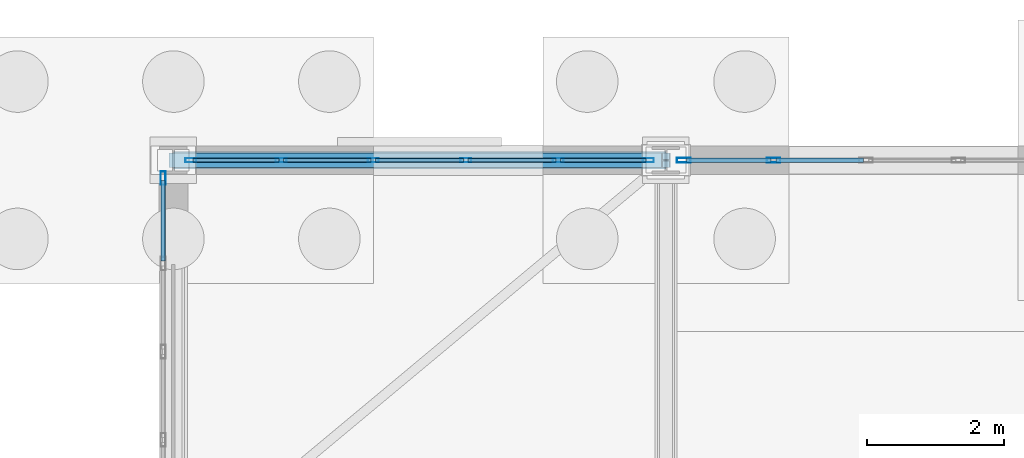
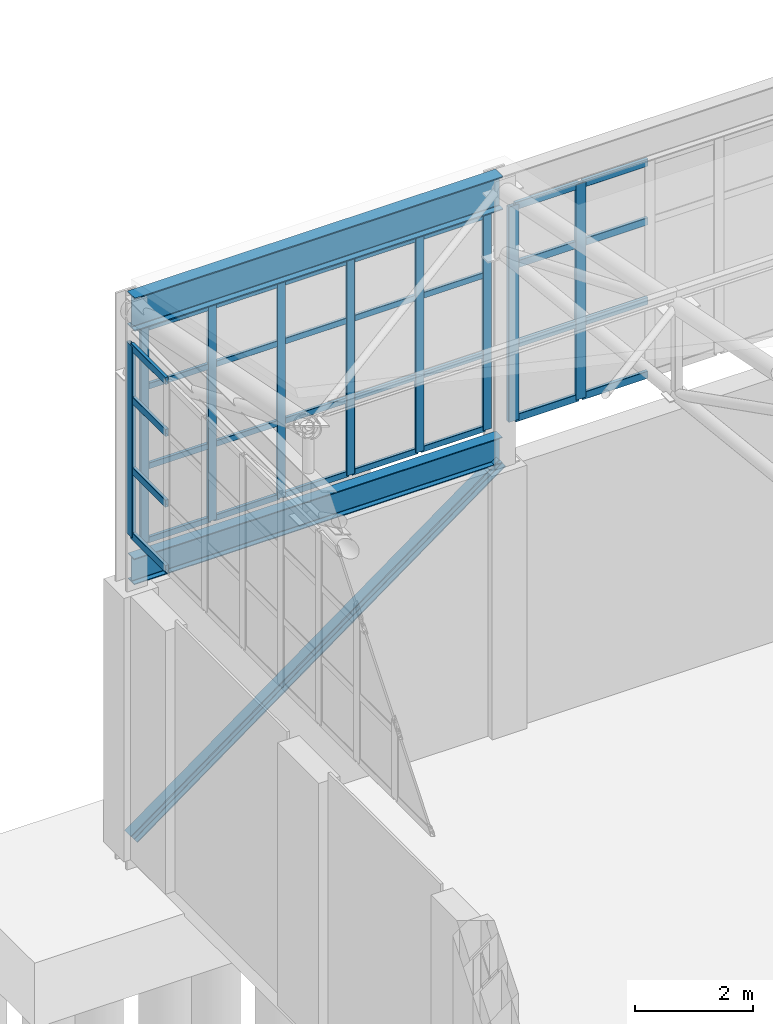
# One storey, part 202 of 293: 42 members, 2 beams, 3 elements without a shape of their own.
"""IFC4 building model written with IfcOpenShell, lengths in metres."""

from ifc_helpers import new_model, si_unit, direction, frame, origin, origin_2d, place, context, subcontext, project, spatial, hollow_rectangle, i_section, extrude, material, layer, layer_set, material_profile, profile_set, type_object, element, aggregate, save


model = new_model("IFC4")

# Units and contexts
model_context = context("Model", 3, precision=1e-05, world=origin(), true_north=direction((0.0, 1.0)))
body_context = subcontext(model_context, "Body", "Model", "MODEL_VIEW")
ifc_project = project(units=[si_unit("LENGTHUNIT", "METRE"), si_unit("AREAUNIT", "SQUARE_METRE"), si_unit("VOLUMEUNIT", "CUBIC_METRE"), si_unit("PLANEANGLEUNIT", "RADIAN"), si_unit("MASSUNIT", "GRAM", prefix="KILO")], contexts=[model_context])

# Site, building, storey
site_placement = place(None, origin())
site = spatial("IfcSite", under=ifc_project, at=site_placement, CompositionType="ELEMENT")
building_placement = place(site_placement, origin())
building = spatial("IfcBuilding", under=site, at=building_placement, Name="Kemerveld Promenade Tramway Depot", CompositionType="ELEMENT")
storey_placement = place(building_placement, origin())
storey = spatial("IfcBuildingStorey", under=building, at=storey_placement, Name="L00", CompositionType="ELEMENT", Elevation=0.0)

# Beams
ifc_material_1 = material(Name="Steel S355", Category="steel")
ifc_material_profile_1 = material_profile(ifc_material_1, i_section(OverallWidth=0.25439453125, OverallDepth=0.6875, WebThickness=0.01318359375, FlangeThickness=0.02099609375, FilletRadius=0.01513671875, at=origin_2d()), Name="686x254x152 UB")
ifc_profile_set_1 = profile_set([ifc_material_profile_1], Name="Steel S355")
beam_type_1 = type_object("IfcBeamType", Name="BM-G03", PredefinedType="BEAM", material=ifc_profile_set_1)
beam_1_placement = place(storey_placement, frame((36.0, 144.0, 11.056396484375), z_axis=(1.0, 0.0, 0.0), x_axis=(0.0, 1.0, 0.0)))
element("IfcBeam", 1, at=beam_1_placement, inside=storey, type_object=beam_type_1, Name="BM-SHED-EAVE-U-06", PredefinedType="BEAM", context=body_context, shape_type="SweptSolid", body=[
    extrude(i_section(OverallWidth=0.25439453125, OverallDepth=0.6875, WebThickness=0.01318359375, FlangeThickness=0.02099609375, FilletRadius=0.01513671875, at=origin_2d()), origin(), (0.0, 0.0, 1.0), 7.199951171875),
])
ifc_material_profile_2 = material_profile(ifc_material_1, i_section(OverallWidth=0.2099609375, OverallDepth=0.53662109375, WebThickness=0.0107421875, FlangeThickness=0.017333984375, FilletRadius=0.0126953125, at=origin_2d()), Name="533x210x101 UB")
ifc_profile_set_2 = profile_set([ifc_material_profile_2], Name="Steel S355")
beam_type_2 = type_object("IfcBeamType", Name="BM-G05", PredefinedType="BEAM", material=ifc_profile_set_2)
beam_2_placement = place(storey_placement, frame((36.0, 144.0, 5.731689453125), z_axis=(1.0, 0.0, 0.0), x_axis=(0.0, 1.0, 0.0)))
element("IfcBeam", 2, at=beam_2_placement, inside=storey, type_object=beam_type_2, Name="BM-SHED-MID-U-06", PredefinedType="BEAM", context=body_context, shape_type="SweptSolid", body=[
    extrude(i_section(OverallWidth=0.2099609375, OverallDepth=0.53662109375, WebThickness=0.0107421875, FlangeThickness=0.017333984375, FilletRadius=0.0126953125, at=origin_2d()), origin(), (0.0, 0.0, 1.0), 7.199951171875),
])

# Curtain wall, members
ifc_material_2 = material(Name="Bronze anodised aluminium and solar glass", Category="aluminium")
ifc_layer_1 = layer(ifc_material_2, 0.159912109375)
ifc_layer_set_1 = layer_set([ifc_layer_1], Name="CW-SYS-01")
curtain_wall_type_1 = type_object("IfcCurtainWallType", Name="CW-SYS-01", PredefinedType="USERDEFINED", material=ifc_layer_set_1)
curtain_wall_1_placement = place(storey_placement, origin())
curtain_wall_1 = element("IfcCurtainWall", 3, at=curtain_wall_1_placement, inside=storey, type_object=curtain_wall_type_1, Name="CW-V1-N-01", ObjectType="GLAZED_CURTAIN_WALL", PredefinedType="USERDEFINED")
ifc_material_3 = material(Name="Bronze anodised aluminium", Category="aluminium")
ifc_material_profile_3 = material_profile(ifc_material_3, hollow_rectangle(XDim=0.06494140625, YDim=0.159912109375, WallThickness=0.00390625, InnerFilletRadius=0.001953125, OuterFilletRadius=0.00390625, at=origin_2d()), Name="CW-MUL-160x65")
ifc_profile_set_3 = profile_set([ifc_material_profile_3], Name="Bronze anodised aluminium")
member_type_1 = type_object("IfcMemberType", Name="CW-MUL-A", PredefinedType="MULLION", material=ifc_profile_set_3)
member_1_placement = place(storey_placement, frame((36.255615234375, 144.0, 6.199951171875), z_axis=(0.0, 0.0, 1.0), x_axis=(0.0, 1.0, 0.0)))
member_1 = element("IfcMember", 4, at=member_1_placement, type_object=member_type_1, Name="CW01 mullion 1", PredefinedType="MULLION", context=body_context, shape_type="SweptSolid", body=[
    extrude(hollow_rectangle(XDim=0.06494140625, YDim=0.159912109375, WallThickness=0.00390625, InnerFilletRadius=0.001953125, OuterFilletRadius=0.00390625, at=origin_2d()), origin(), (0.0, 0.0, 1.0), 4.449951171875),
])
member_2_placement = place(storey_placement, frame((37.573974609375, 144.0, 6.199951171875), z_axis=(0.0, 0.0, 1.0), x_axis=(0.0, 1.0, 0.0)))
member_2 = element("IfcMember", 5, at=member_2_placement, type_object=member_type_1, Name="CW01 mullion 2", PredefinedType="MULLION", context=body_context, shape_type="SweptSolid", body=[
    extrude(hollow_rectangle(XDim=0.06494140625, YDim=0.159912109375, WallThickness=0.00390625, InnerFilletRadius=0.001953125, OuterFilletRadius=0.00390625, at=origin_2d()), origin(), (0.0, 0.0, 1.0), 4.449951171875),
])
member_3_placement = place(storey_placement, frame((38.924560546875, 144.0, 6.199951171875), z_axis=(0.0, 0.0, 1.0), x_axis=(0.0, 1.0, 0.0)))
member_3 = element("IfcMember", 6, at=member_3_placement, type_object=member_type_1, Name="CW01 mullion 3", PredefinedType="MULLION", context=body_context, shape_type="SweptSolid", body=[
    extrude(hollow_rectangle(XDim=0.06494140625, YDim=0.159912109375, WallThickness=0.00390625, InnerFilletRadius=0.001953125, OuterFilletRadius=0.00390625, at=origin_2d()), origin(), (0.0, 0.0, 1.0), 4.449951171875),
])
member_4_placement = place(storey_placement, frame((40.275390625, 144.0, 6.199951171875), z_axis=(0.0, 0.0, 1.0), x_axis=(0.0, 1.0, 0.0)))
member_4 = element("IfcMember", 7, at=member_4_placement, type_object=member_type_1, Name="CW01 mullion 4", PredefinedType="MULLION", context=body_context, shape_type="SweptSolid", body=[
    extrude(hollow_rectangle(XDim=0.06494140625, YDim=0.159912109375, WallThickness=0.00390625, InnerFilletRadius=0.001953125, OuterFilletRadius=0.00390625, at=origin_2d()), origin(), (0.0, 0.0, 1.0), 4.449951171875),
])
member_5_placement = place(storey_placement, frame((41.6259765625, 144.0, 6.199951171875), z_axis=(0.0, 0.0, 1.0), x_axis=(0.0, 1.0, 0.0)))
member_5 = element("IfcMember", 8, at=member_5_placement, type_object=member_type_1, Name="CW01 mullion 5", PredefinedType="MULLION", context=body_context, shape_type="SweptSolid", body=[
    extrude(hollow_rectangle(XDim=0.06494140625, YDim=0.159912109375, WallThickness=0.00390625, InnerFilletRadius=0.001953125, OuterFilletRadius=0.00390625, at=origin_2d()), origin(), (0.0, 0.0, 1.0), 4.449951171875),
])
member_6_placement = place(storey_placement, frame((42.9443359375, 144.0, 6.199951171875), z_axis=(0.0, 0.0, 1.0), x_axis=(0.0, 1.0, 0.0)))
member_6 = element("IfcMember", 9, at=member_6_placement, type_object=member_type_1, Name="CW01 mullion 6", PredefinedType="MULLION", context=body_context, shape_type="SweptSolid", body=[
    extrude(hollow_rectangle(XDim=0.06494140625, YDim=0.159912109375, WallThickness=0.00390625, InnerFilletRadius=0.001953125, OuterFilletRadius=0.00390625, at=origin_2d()), origin(), (0.0, 0.0, 1.0), 4.449951171875),
])

ifc_layer_2 = layer(ifc_material_2, 0.199951171875)
ifc_layer_set_2 = layer_set([ifc_layer_2], Name="CW-SYS-02")
curtain_wall_type_2 = type_object("IfcCurtainWallType", Name="CW-SYS-02", PredefinedType="USERDEFINED", material=ifc_layer_set_2)
curtain_wall_2_placement = place(storey_placement, origin())
curtain_wall_2 = element("IfcCurtainWall", 10, at=curtain_wall_2_placement, inside=storey, type_object=curtain_wall_type_2, Name="CW-V1-N-02", ObjectType="GLAZED_CURTAIN_WALL", PredefinedType="USERDEFINED")
ifc_material_profile_4 = material_profile(ifc_material_3, hollow_rectangle(XDim=0.074951171875, YDim=0.199951171875, WallThickness=0.0048828125, InnerFilletRadius=0.001953125, OuterFilletRadius=0.0048828125, at=origin_2d()), Name="CW-MUL-200x75")
ifc_profile_set_4 = profile_set([ifc_material_profile_4], Name="Bronze anodised aluminium")
member_type_2 = type_object("IfcMemberType", Name="CW-MUL-B", PredefinedType="MULLION", material=ifc_profile_set_4)
member_7_placement = place(storey_placement, frame((43.460693359375, 144.0, 6.199951171875), z_axis=(0.0, 0.0, 1.0), x_axis=(0.0, 1.0, 0.0)))
member_7 = element("IfcMember", 11, at=member_7_placement, type_object=member_type_2, Name="CW02 mullion 1", PredefinedType="MULLION", context=body_context, shape_type="SweptSolid", body=[
    extrude(hollow_rectangle(XDim=0.074951171875, YDim=0.199951171875, WallThickness=0.0048828125, InnerFilletRadius=0.001953125, OuterFilletRadius=0.0048828125, at=origin_2d()), origin(), (0.0, 0.0, 1.0), 4.449951171875),
])
member_8_placement = place(storey_placement, frame((44.77392578125, 144.0, 6.199951171875), z_axis=(0.0, 0.0, 1.0), x_axis=(0.0, 1.0, 0.0)))
member_8 = element("IfcMember", 12, at=member_8_placement, type_object=member_type_2, Name="CW02 mullion 2", PredefinedType="MULLION", context=body_context, shape_type="SweptSolid", body=[
    extrude(hollow_rectangle(XDim=0.074951171875, YDim=0.199951171875, WallThickness=0.0048828125, InnerFilletRadius=0.001953125, OuterFilletRadius=0.0048828125, at=origin_2d()), origin(), (0.0, 0.0, 1.0), 4.449951171875),
])

# Curtain wall, member
ifc_layer_3 = layer(ifc_material_2, 0.199951171875)
ifc_layer_set_3 = layer_set([ifc_layer_3], Name="CW-SYS-12")
curtain_wall_type_3 = type_object("IfcCurtainWallType", Name="CW-SYS-12", PredefinedType="USERDEFINED", material=ifc_layer_set_3)
curtain_wall_3_placement = place(storey_placement, origin())
curtain_wall_3 = element("IfcCurtainWall", 13, at=curtain_wall_3_placement, inside=storey, type_object=curtain_wall_type_3, Name="CW-V1-W-05", ObjectType="GLAZED_CURTAIN_WALL", PredefinedType="USERDEFINED")
member_9_placement = place(storey_placement, frame((35.85009765625, 143.7392578125, 6.64990234375), z_axis=(0.0, 0.0, 1.0), x_axis=(-1.0, 0.0, 0.0)))
member_9 = element("IfcMember", 14, at=member_9_placement, type_object=member_type_2, Name="CW12 mullion 10", PredefinedType="MULLION", context=body_context, shape_type="SweptSolid", body=[
    extrude(hollow_rectangle(XDim=0.074951171875, YDim=0.199951171875, WallThickness=0.0048828125, InnerFilletRadius=0.001953125, OuterFilletRadius=0.0048828125, at=origin_2d()), origin(), (0.0, 0.0, 1.0), 3.9501953125),
])

# Member
ifc_material_profile_5 = material_profile(ifc_material_3, hollow_rectangle(XDim=0.06005859375, YDim=0.1201171875, WallThickness=0.00390625, InnerFilletRadius=0.001953125, OuterFilletRadius=0.00390625, at=origin_2d()), Name="CW-TRN-120x60")
ifc_profile_set_5 = profile_set([ifc_material_profile_5], Name="Bronze anodised aluminium")
member_type_3 = type_object("IfcMemberType", Name="CW-TRN-A", PredefinedType="USERDEFINED", material=ifc_profile_set_5)
member_10_placement = place(storey_placement, frame((36.2880859375, 144.0, 6.22998046875), z_axis=(1.0, 0.0, 0.0), x_axis=(0.0, 1.0, 0.0)))
member_10 = element("IfcMember", 15, at=member_10_placement, type_object=member_type_3, Name="CW01 transom 1.1", ObjectType="TRANSOM", PredefinedType="USERDEFINED", context=body_context, shape_type="SweptSolid", body=[
    extrude(hollow_rectangle(XDim=0.06005859375, YDim=0.1201171875, WallThickness=0.00390625, InnerFilletRadius=0.001953125, OuterFilletRadius=0.00390625, at=origin_2d()), origin(), (0.0, 0.0, 1.0), 1.25341796875),
])

member_11_placement = place(storey_placement, frame((36.2880859375, 144.0, 7.758056640625), z_axis=(1.0, 0.0, 0.0), x_axis=(0.0, 1.0, 0.0)))
member_11 = element("IfcMember", 16, at=member_11_placement, type_object=member_type_3, Name="CW01 transom 1.2", ObjectType="TRANSOM", PredefinedType="USERDEFINED", context=body_context, shape_type="SweptSolid", body=[
    extrude(hollow_rectangle(XDim=0.06005859375, YDim=0.1201171875, WallThickness=0.00390625, InnerFilletRadius=0.001953125, OuterFilletRadius=0.00390625, at=origin_2d()), origin(), (0.0, 0.0, 1.0), 1.25341796875),
])

member_12_placement = place(storey_placement, frame((36.2880859375, 144.0, 9.404052734375), z_axis=(1.0, 0.0, 0.0), x_axis=(0.0, 1.0, 0.0)))
member_12 = element("IfcMember", 17, at=member_12_placement, type_object=member_type_3, Name="CW01 transom 1.3", ObjectType="TRANSOM", PredefinedType="USERDEFINED", context=body_context, shape_type="SweptSolid", body=[
    extrude(hollow_rectangle(XDim=0.06005859375, YDim=0.1201171875, WallThickness=0.00390625, InnerFilletRadius=0.001953125, OuterFilletRadius=0.00390625, at=origin_2d()), origin(), (0.0, 0.0, 1.0), 1.25341796875),
])

member_13_placement = place(storey_placement, frame((36.2880859375, 144.0, 10.6201171875), z_axis=(1.0, 0.0, 0.0), x_axis=(0.0, 1.0, 0.0)))
member_13 = element("IfcMember", 18, at=member_13_placement, type_object=member_type_3, Name="CW01 transom 1.4", ObjectType="TRANSOM", PredefinedType="USERDEFINED", context=body_context, shape_type="SweptSolid", body=[
    extrude(hollow_rectangle(XDim=0.06005859375, YDim=0.1201171875, WallThickness=0.00390625, InnerFilletRadius=0.001953125, OuterFilletRadius=0.00390625, at=origin_2d()), origin(), (0.0, 0.0, 1.0), 1.25341796875),
])

member_14_placement = place(storey_placement, frame((37.6064453125, 144.0, 6.22998046875), z_axis=(1.0, 0.0, 0.0), x_axis=(0.0, 1.0, 0.0)))
member_14 = element("IfcMember", 19, at=member_14_placement, type_object=member_type_3, Name="CW01 transom 2.1", ObjectType="TRANSOM", PredefinedType="USERDEFINED", context=body_context, shape_type="SweptSolid", body=[
    extrude(hollow_rectangle(XDim=0.06005859375, YDim=0.1201171875, WallThickness=0.00390625, InnerFilletRadius=0.001953125, OuterFilletRadius=0.00390625, at=origin_2d()), origin(), (0.0, 0.0, 1.0), 1.28564453125),
])

member_15_placement = place(storey_placement, frame((37.6064453125, 144.0, 7.758056640625), z_axis=(1.0, 0.0, 0.0), x_axis=(0.0, 1.0, 0.0)))
member_15 = element("IfcMember", 20, at=member_15_placement, type_object=member_type_3, Name="CW01 transom 2.2", ObjectType="TRANSOM", PredefinedType="USERDEFINED", context=body_context, shape_type="SweptSolid", body=[
    extrude(hollow_rectangle(XDim=0.06005859375, YDim=0.1201171875, WallThickness=0.00390625, InnerFilletRadius=0.001953125, OuterFilletRadius=0.00390625, at=origin_2d()), origin(), (0.0, 0.0, 1.0), 1.28564453125),
])

member_16_placement = place(storey_placement, frame((37.6064453125, 144.0, 9.404052734375), z_axis=(1.0, 0.0, 0.0), x_axis=(0.0, 1.0, 0.0)))
member_16 = element("IfcMember", 21, at=member_16_placement, type_object=member_type_3, Name="CW01 transom 2.3", ObjectType="TRANSOM", PredefinedType="USERDEFINED", context=body_context, shape_type="SweptSolid", body=[
    extrude(hollow_rectangle(XDim=0.06005859375, YDim=0.1201171875, WallThickness=0.00390625, InnerFilletRadius=0.001953125, OuterFilletRadius=0.00390625, at=origin_2d()), origin(), (0.0, 0.0, 1.0), 1.28564453125),
])

member_17_placement = place(storey_placement, frame((37.6064453125, 144.0, 10.6201171875), z_axis=(1.0, 0.0, 0.0), x_axis=(0.0, 1.0, 0.0)))
member_17 = element("IfcMember", 22, at=member_17_placement, type_object=member_type_3, Name="CW01 transom 2.4", ObjectType="TRANSOM", PredefinedType="USERDEFINED", context=body_context, shape_type="SweptSolid", body=[
    extrude(hollow_rectangle(XDim=0.06005859375, YDim=0.1201171875, WallThickness=0.00390625, InnerFilletRadius=0.001953125, OuterFilletRadius=0.00390625, at=origin_2d()), origin(), (0.0, 0.0, 1.0), 1.28564453125),
])

member_18_placement = place(storey_placement, frame((38.95703125, 144.0, 6.22998046875), z_axis=(1.0, 0.0, 0.0), x_axis=(0.0, 1.0, 0.0)))
member_18 = element("IfcMember", 23, at=member_18_placement, type_object=member_type_3, Name="CW01 transom 3.1", ObjectType="TRANSOM", PredefinedType="USERDEFINED", context=body_context, shape_type="SweptSolid", body=[
    extrude(hollow_rectangle(XDim=0.06005859375, YDim=0.1201171875, WallThickness=0.00390625, InnerFilletRadius=0.001953125, OuterFilletRadius=0.00390625, at=origin_2d()), origin(), (0.0, 0.0, 1.0), 1.285888671875),
])

member_19_placement = place(storey_placement, frame((38.95703125, 144.0, 7.758056640625), z_axis=(1.0, 0.0, 0.0), x_axis=(0.0, 1.0, 0.0)))
member_19 = element("IfcMember", 24, at=member_19_placement, type_object=member_type_3, Name="CW01 transom 3.2", ObjectType="TRANSOM", PredefinedType="USERDEFINED", context=body_context, shape_type="SweptSolid", body=[
    extrude(hollow_rectangle(XDim=0.06005859375, YDim=0.1201171875, WallThickness=0.00390625, InnerFilletRadius=0.001953125, OuterFilletRadius=0.00390625, at=origin_2d()), origin(), (0.0, 0.0, 1.0), 1.285888671875),
])

member_20_placement = place(storey_placement, frame((38.95703125, 144.0, 9.404052734375), z_axis=(1.0, 0.0, 0.0), x_axis=(0.0, 1.0, 0.0)))
member_20 = element("IfcMember", 25, at=member_20_placement, type_object=member_type_3, Name="CW01 transom 3.3", ObjectType="TRANSOM", PredefinedType="USERDEFINED", context=body_context, shape_type="SweptSolid", body=[
    extrude(hollow_rectangle(XDim=0.06005859375, YDim=0.1201171875, WallThickness=0.00390625, InnerFilletRadius=0.001953125, OuterFilletRadius=0.00390625, at=origin_2d()), origin(), (0.0, 0.0, 1.0), 1.285888671875),
])

member_21_placement = place(storey_placement, frame((38.95703125, 144.0, 10.6201171875), z_axis=(1.0, 0.0, 0.0), x_axis=(0.0, 1.0, 0.0)))
member_21 = element("IfcMember", 26, at=member_21_placement, type_object=member_type_3, Name="CW01 transom 3.4", ObjectType="TRANSOM", PredefinedType="USERDEFINED", context=body_context, shape_type="SweptSolid", body=[
    extrude(hollow_rectangle(XDim=0.06005859375, YDim=0.1201171875, WallThickness=0.00390625, InnerFilletRadius=0.001953125, OuterFilletRadius=0.00390625, at=origin_2d()), origin(), (0.0, 0.0, 1.0), 1.285888671875),
])

member_22_placement = place(storey_placement, frame((40.307861328125, 144.0, 6.22998046875), z_axis=(1.0, 0.0, 0.0), x_axis=(0.0, 1.0, 0.0)))
member_22 = element("IfcMember", 27, at=member_22_placement, type_object=member_type_3, Name="CW01 transom 4.1", ObjectType="TRANSOM", PredefinedType="USERDEFINED", context=body_context, shape_type="SweptSolid", body=[
    extrude(hollow_rectangle(XDim=0.06005859375, YDim=0.1201171875, WallThickness=0.00390625, InnerFilletRadius=0.001953125, OuterFilletRadius=0.00390625, at=origin_2d()), origin(), (0.0, 0.0, 1.0), 1.28564453125),
])

member_23_placement = place(storey_placement, frame((40.307861328125, 144.0, 7.758056640625), z_axis=(1.0, 0.0, 0.0), x_axis=(0.0, 1.0, 0.0)))
member_23 = element("IfcMember", 28, at=member_23_placement, type_object=member_type_3, Name="CW01 transom 4.2", ObjectType="TRANSOM", PredefinedType="USERDEFINED", context=body_context, shape_type="SweptSolid", body=[
    extrude(hollow_rectangle(XDim=0.06005859375, YDim=0.1201171875, WallThickness=0.00390625, InnerFilletRadius=0.001953125, OuterFilletRadius=0.00390625, at=origin_2d()), origin(), (0.0, 0.0, 1.0), 1.28564453125),
])

member_24_placement = place(storey_placement, frame((40.307861328125, 144.0, 9.404052734375), z_axis=(1.0, 0.0, 0.0), x_axis=(0.0, 1.0, 0.0)))
member_24 = element("IfcMember", 29, at=member_24_placement, type_object=member_type_3, Name="CW01 transom 4.3", ObjectType="TRANSOM", PredefinedType="USERDEFINED", context=body_context, shape_type="SweptSolid", body=[
    extrude(hollow_rectangle(XDim=0.06005859375, YDim=0.1201171875, WallThickness=0.00390625, InnerFilletRadius=0.001953125, OuterFilletRadius=0.00390625, at=origin_2d()), origin(), (0.0, 0.0, 1.0), 1.28564453125),
])

member_25_placement = place(storey_placement, frame((40.307861328125, 144.0, 10.6201171875), z_axis=(1.0, 0.0, 0.0), x_axis=(0.0, 1.0, 0.0)))
member_25 = element("IfcMember", 30, at=member_25_placement, type_object=member_type_3, Name="CW01 transom 4.4", ObjectType="TRANSOM", PredefinedType="USERDEFINED", context=body_context, shape_type="SweptSolid", body=[
    extrude(hollow_rectangle(XDim=0.06005859375, YDim=0.1201171875, WallThickness=0.00390625, InnerFilletRadius=0.001953125, OuterFilletRadius=0.00390625, at=origin_2d()), origin(), (0.0, 0.0, 1.0), 1.28564453125),
])

member_26_placement = place(storey_placement, frame((41.65869140625, 144.0, 6.22998046875), z_axis=(1.0, 0.0, 0.0), x_axis=(0.0, 1.0, 0.0)))
member_26 = element("IfcMember", 31, at=member_26_placement, type_object=member_type_3, Name="CW01 transom 5.1", ObjectType="TRANSOM", PredefinedType="USERDEFINED", context=body_context, shape_type="SweptSolid", body=[
    extrude(hollow_rectangle(XDim=0.06005859375, YDim=0.1201171875, WallThickness=0.00390625, InnerFilletRadius=0.001953125, OuterFilletRadius=0.00390625, at=origin_2d()), origin(), (0.0, 0.0, 1.0), 1.253173828125),
])

member_27_placement = place(storey_placement, frame((41.65869140625, 144.0, 7.758056640625), z_axis=(1.0, 0.0, 0.0), x_axis=(0.0, 1.0, 0.0)))
member_27 = element("IfcMember", 32, at=member_27_placement, type_object=member_type_3, Name="CW01 transom 5.2", ObjectType="TRANSOM", PredefinedType="USERDEFINED", context=body_context, shape_type="SweptSolid", body=[
    extrude(hollow_rectangle(XDim=0.06005859375, YDim=0.1201171875, WallThickness=0.00390625, InnerFilletRadius=0.001953125, OuterFilletRadius=0.00390625, at=origin_2d()), origin(), (0.0, 0.0, 1.0), 1.253173828125),
])

member_28_placement = place(storey_placement, frame((41.65869140625, 144.0, 9.404052734375), z_axis=(1.0, 0.0, 0.0), x_axis=(0.0, 1.0, 0.0)))
member_28 = element("IfcMember", 33, at=member_28_placement, type_object=member_type_3, Name="CW01 transom 5.3", ObjectType="TRANSOM", PredefinedType="USERDEFINED", context=body_context, shape_type="SweptSolid", body=[
    extrude(hollow_rectangle(XDim=0.06005859375, YDim=0.1201171875, WallThickness=0.00390625, InnerFilletRadius=0.001953125, OuterFilletRadius=0.00390625, at=origin_2d()), origin(), (0.0, 0.0, 1.0), 1.253173828125),
])

member_29_placement = place(storey_placement, frame((41.65869140625, 144.0, 10.6201171875), z_axis=(1.0, 0.0, 0.0), x_axis=(0.0, 1.0, 0.0)))
member_29 = element("IfcMember", 34, at=member_29_placement, type_object=member_type_3, Name="CW01 transom 5.4", ObjectType="TRANSOM", PredefinedType="USERDEFINED", context=body_context, shape_type="SweptSolid", body=[
    extrude(hollow_rectangle(XDim=0.06005859375, YDim=0.1201171875, WallThickness=0.00390625, InnerFilletRadius=0.001953125, OuterFilletRadius=0.00390625, at=origin_2d()), origin(), (0.0, 0.0, 1.0), 1.253173828125),
])

aggregate(curtain_wall_1, [member_1, member_2, member_3, member_4, member_5, member_6, member_10, member_11, member_12, member_13, member_14, member_15, member_16, member_17, member_18, member_19, member_20, member_21, member_22, member_23, member_24, member_25, member_26, member_27, member_28, member_29])

ifc_material_profile_6 = material_profile(ifc_material_3, hollow_rectangle(XDim=0.06494140625, YDim=0.14990234375, WallThickness=0.00439453125, InnerFilletRadius=0.001953125, OuterFilletRadius=0.00439453125, at=origin_2d()), Name="CW-TRN-150x65")
ifc_profile_set_6 = profile_set([ifc_material_profile_6], Name="Bronze anodised aluminium")
member_type_4 = type_object("IfcMemberType", Name="CW-TRN-B", PredefinedType="USERDEFINED", material=ifc_profile_set_6)
member_30_placement = place(storey_placement, frame((43.498291015625, 144.0, 6.232421875), z_axis=(1.0, 0.0, 0.0), x_axis=(0.0, 1.0, 0.0)))
member_30 = element("IfcMember", 35, at=member_30_placement, type_object=member_type_4, Name="CW02 transom 1.1", ObjectType="TRANSOM", PredefinedType="USERDEFINED", context=body_context, shape_type="SweptSolid", body=[
    extrude(hollow_rectangle(XDim=0.06494140625, YDim=0.14990234375, WallThickness=0.00439453125, InnerFilletRadius=0.001953125, OuterFilletRadius=0.00439453125, at=origin_2d()), origin(), (0.0, 0.0, 1.0), 1.238037109375),
])

member_31_placement = place(storey_placement, frame((43.498291015625, 144.0, 7.758056640625), z_axis=(1.0, 0.0, 0.0), x_axis=(0.0, 1.0, 0.0)))
member_31 = element("IfcMember", 36, at=member_31_placement, type_object=member_type_4, Name="CW02 transom 1.2", ObjectType="TRANSOM", PredefinedType="USERDEFINED", context=body_context, shape_type="SweptSolid", body=[
    extrude(hollow_rectangle(XDim=0.06494140625, YDim=0.14990234375, WallThickness=0.00439453125, InnerFilletRadius=0.001953125, OuterFilletRadius=0.00439453125, at=origin_2d()), origin(), (0.0, 0.0, 1.0), 1.238037109375),
])

member_32_placement = place(storey_placement, frame((43.498291015625, 144.0, 9.404052734375), z_axis=(1.0, 0.0, 0.0), x_axis=(0.0, 1.0, 0.0)))
member_32 = element("IfcMember", 37, at=member_32_placement, type_object=member_type_4, Name="CW02 transom 1.3", ObjectType="TRANSOM", PredefinedType="USERDEFINED", context=body_context, shape_type="SweptSolid", body=[
    extrude(hollow_rectangle(XDim=0.06494140625, YDim=0.14990234375, WallThickness=0.00439453125, InnerFilletRadius=0.001953125, OuterFilletRadius=0.00439453125, at=origin_2d()), origin(), (0.0, 0.0, 1.0), 1.238037109375),
])

member_33_placement = place(storey_placement, frame((43.498291015625, 144.0, 10.617431640625), z_axis=(1.0, 0.0, 0.0), x_axis=(0.0, 1.0, 0.0)))
member_33 = element("IfcMember", 38, at=member_33_placement, type_object=member_type_4, Name="CW02 transom 1.4", ObjectType="TRANSOM", PredefinedType="USERDEFINED", context=body_context, shape_type="SweptSolid", body=[
    extrude(hollow_rectangle(XDim=0.06494140625, YDim=0.14990234375, WallThickness=0.00439453125, InnerFilletRadius=0.001953125, OuterFilletRadius=0.00439453125, at=origin_2d()), origin(), (0.0, 0.0, 1.0), 1.238037109375),
])

member_34_placement = place(storey_placement, frame((44.8115234375, 144.0, 6.232421875), z_axis=(1.0, 0.0, 0.0), x_axis=(0.0, 1.0, 0.0)))
member_34 = element("IfcMember", 39, at=member_34_placement, type_object=member_type_4, Name="CW02 transom 2.1", ObjectType="TRANSOM", PredefinedType="USERDEFINED", context=body_context, shape_type="SweptSolid", body=[
    extrude(hollow_rectangle(XDim=0.06494140625, YDim=0.14990234375, WallThickness=0.00439453125, InnerFilletRadius=0.001953125, OuterFilletRadius=0.00439453125, at=origin_2d()), origin(), (0.0, 0.0, 1.0), 1.275634765625),
])

member_35_placement = place(storey_placement, frame((44.8115234375, 144.0, 7.758056640625), z_axis=(1.0, 0.0, 0.0), x_axis=(0.0, 1.0, 0.0)))
member_35 = element("IfcMember", 40, at=member_35_placement, type_object=member_type_4, Name="CW02 transom 2.2", ObjectType="TRANSOM", PredefinedType="USERDEFINED", context=body_context, shape_type="SweptSolid", body=[
    extrude(hollow_rectangle(XDim=0.06494140625, YDim=0.14990234375, WallThickness=0.00439453125, InnerFilletRadius=0.001953125, OuterFilletRadius=0.00439453125, at=origin_2d()), origin(), (0.0, 0.0, 1.0), 1.275634765625),
])

member_36_placement = place(storey_placement, frame((44.8115234375, 144.0, 9.404052734375), z_axis=(1.0, 0.0, 0.0), x_axis=(0.0, 1.0, 0.0)))
member_36 = element("IfcMember", 41, at=member_36_placement, type_object=member_type_4, Name="CW02 transom 2.3", ObjectType="TRANSOM", PredefinedType="USERDEFINED", context=body_context, shape_type="SweptSolid", body=[
    extrude(hollow_rectangle(XDim=0.06494140625, YDim=0.14990234375, WallThickness=0.00439453125, InnerFilletRadius=0.001953125, OuterFilletRadius=0.00439453125, at=origin_2d()), origin(), (0.0, 0.0, 1.0), 1.275634765625),
])

member_37_placement = place(storey_placement, frame((44.8115234375, 144.0, 10.617431640625), z_axis=(1.0, 0.0, 0.0), x_axis=(0.0, 1.0, 0.0)))
member_37 = element("IfcMember", 42, at=member_37_placement, type_object=member_type_4, Name="CW02 transom 2.4", ObjectType="TRANSOM", PredefinedType="USERDEFINED", context=body_context, shape_type="SweptSolid", body=[
    extrude(hollow_rectangle(XDim=0.06494140625, YDim=0.14990234375, WallThickness=0.00439453125, InnerFilletRadius=0.001953125, OuterFilletRadius=0.00439453125, at=origin_2d()), origin(), (0.0, 0.0, 1.0), 1.275634765625),
])

aggregate(curtain_wall_2, [member_7, member_8, member_30, member_31, member_32, member_33, member_34, member_35, member_36, member_37])

member_38_placement = place(storey_placement, frame((35.85009765625, 142.526123046875, 6.6826171875), z_axis=(0.0, 1.0, 0.0), x_axis=(-1.0, 0.0, 0.0)))
member_38 = element("IfcMember", 43, at=member_38_placement, type_object=member_type_4, Name="CW12 transom 9.1", ObjectType="TRANSOM", PredefinedType="USERDEFINED", context=body_context, shape_type="SweptSolid", body=[
    extrude(hollow_rectangle(XDim=0.06494140625, YDim=0.14990234375, WallThickness=0.00439453125, InnerFilletRadius=0.001953125, OuterFilletRadius=0.00439453125, at=origin_2d()), origin(), (0.0, 0.0, 1.0), 1.17578125),
])

member_39_placement = place(storey_placement, frame((35.85009765625, 142.526123046875, 8.032958984375), z_axis=(0.0, 1.0, 0.0), x_axis=(-1.0, 0.0, 0.0)))
member_39 = element("IfcMember", 44, at=member_39_placement, type_object=member_type_4, Name="CW12 transom 9.2", ObjectType="TRANSOM", PredefinedType="USERDEFINED", context=body_context, shape_type="SweptSolid", body=[
    extrude(hollow_rectangle(XDim=0.06494140625, YDim=0.14990234375, WallThickness=0.00439453125, InnerFilletRadius=0.001953125, OuterFilletRadius=0.00439453125, at=origin_2d()), origin(), (0.0, 0.0, 1.0), 1.17578125),
])

member_40_placement = place(storey_placement, frame((35.85009765625, 142.526123046875, 9.493896484375), z_axis=(0.0, 1.0, 0.0), x_axis=(-1.0, 0.0, 0.0)))
member_40 = element("IfcMember", 45, at=member_40_placement, type_object=member_type_4, Name="CW12 transom 9.3", ObjectType="TRANSOM", PredefinedType="USERDEFINED", context=body_context, shape_type="SweptSolid", body=[
    extrude(hollow_rectangle(XDim=0.06494140625, YDim=0.14990234375, WallThickness=0.00439453125, InnerFilletRadius=0.001953125, OuterFilletRadius=0.00439453125, at=origin_2d()), origin(), (0.0, 0.0, 1.0), 1.17578125),
])

member_41_placement = place(storey_placement, frame((35.85009765625, 142.526123046875, 10.5673828125), z_axis=(0.0, 1.0, 0.0), x_axis=(-1.0, 0.0, 0.0)))
member_41 = element("IfcMember", 46, at=member_41_placement, type_object=member_type_4, Name="CW12 transom 9.4", ObjectType="TRANSOM", PredefinedType="USERDEFINED", context=body_context, shape_type="SweptSolid", body=[
    extrude(hollow_rectangle(XDim=0.06494140625, YDim=0.14990234375, WallThickness=0.00439453125, InnerFilletRadius=0.001953125, OuterFilletRadius=0.00439453125, at=origin_2d()), origin(), (0.0, 0.0, 1.0), 1.17578125),
])

aggregate(curtain_wall_3, [member_9, member_38, member_39, member_40, member_41])

ifc_material_profile_7 = material_profile(ifc_material_1, i_section(OverallWidth=0.208984375, OverallDepth=0.22216796875, WebThickness=0.0126953125, FlangeThickness=0.0205078125, FilletRadius=0.01025390625, at=origin_2d()), Name="203x203x86 UC")
ifc_profile_set_7 = profile_set([ifc_material_profile_7], Name="Steel S355")
member_type_5 = type_object("IfcMemberType", Name="MB-TB5", PredefinedType="BRACE", material=ifc_profile_set_7)
member_42_placement = place(storey_placement, frame((36.0, 144.0, 0.199951171875), z_axis=(0.807288292304, 0.0, 0.590157278281), x_axis=(0.0, 1.0, 0.0)))
element("IfcMember", 47, at=member_42_placement, inside=storey, type_object=member_type_5, Name="BR-SHED-WALL-U-06-A", PredefinedType="BRACE", context=body_context, shape_type="SweptSolid", body=[
    extrude(i_section(OverallWidth=0.208984375, OverallDepth=0.22216796875, WebThickness=0.0126953125, FlangeThickness=0.0205078125, FilletRadius=0.01025390625, at=origin_2d()), origin(), (0.0, 0.0, 1.0), 8.918701171875),
])

save(model, "model.ifc")
